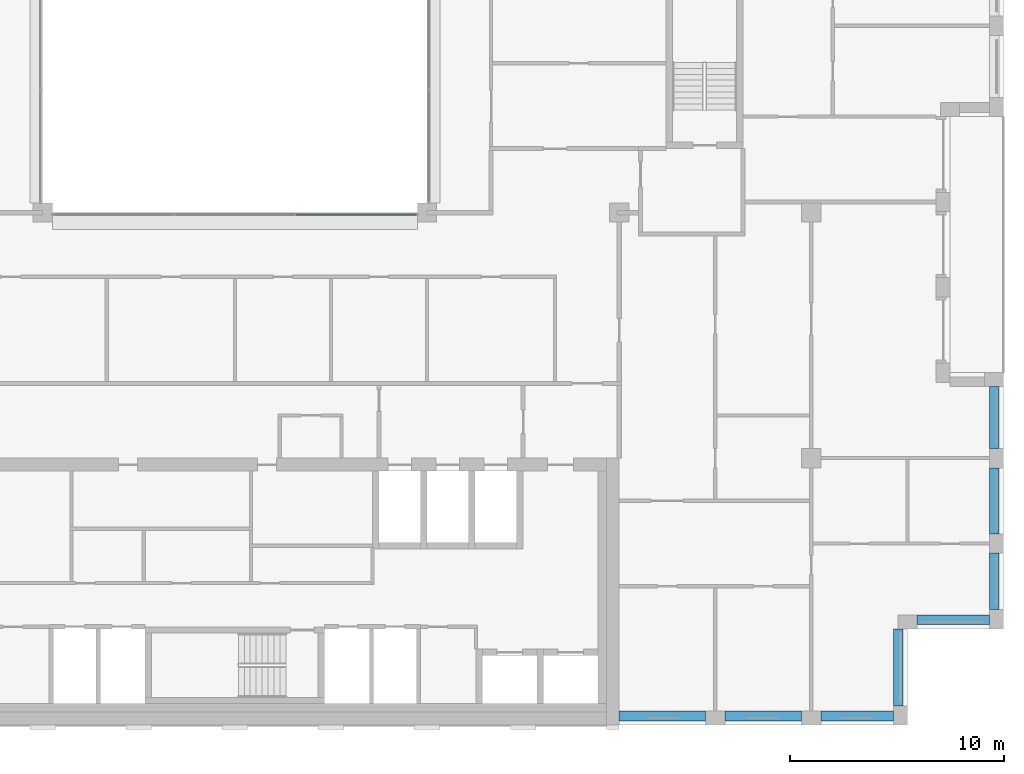
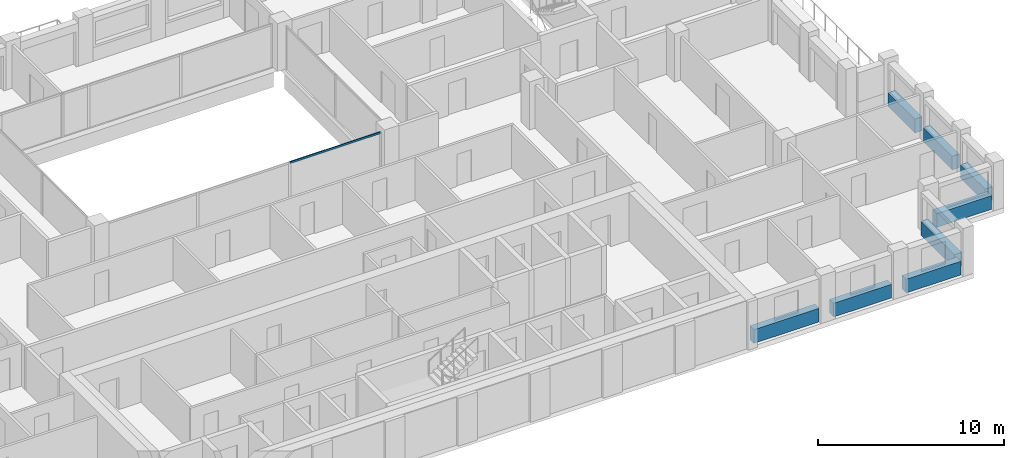
# One storey, part 3 of 15: 8 beams, 1 member, 1 element without a shape of its own.
"""IFC4 building model written with IfcOpenShell, lengths in metres."""

from ifc_helpers import new_model, si_unit, direction, frame, origin, origin_2d, place, context, subcontext, project, spatial, rectangle, extrude, material, layer, layer_set, material_profile, profile_set, type_object, element, aggregate, save


model = new_model("IFC4")

# Units and contexts
model_context = context("Model", 3, precision=1e-05, world=origin(), true_north=direction((0.0, 1.0)))
body_context = subcontext(model_context, "Body", "Model", "MODEL_VIEW")
ifc_project = project(units=[si_unit("LENGTHUNIT", "METRE"), si_unit("AREAUNIT", "SQUARE_METRE"), si_unit("VOLUMEUNIT", "CUBIC_METRE"), si_unit("PLANEANGLEUNIT", "RADIAN"), si_unit("MASSUNIT", "GRAM", prefix="KILO")], contexts=[model_context])

# Site, building, storey
site_placement = place(None, origin())
site = spatial("IfcSite", under=ifc_project, at=site_placement, CompositionType="ELEMENT")
building_placement = place(site_placement, origin())
building = spatial("IfcBuilding", under=site, at=building_placement, Name="Brigalow Station Residences", CompositionType="ELEMENT")
storey_placement = place(building_placement, frame((0.0, 0.0, 223.199951171875)))
storey = spatial("IfcBuildingStorey", under=building, at=storey_placement, Name="L64", CompositionType="ELEMENT", Elevation=223.199951171875)

# Curtain wall, member
ifc_material_1 = material(Name="Aluminium", Category="aluminium")
ifc_layer = layer(ifc_material_1, 0.14990234375)
ifc_layer_set = layer_set([ifc_layer], Name="ATRIUM FIRE-RATED GLAZING CURTAIN WALL")
curtain_wall_type = type_object("IfcCurtainWallType", Name="ATRIUM FIRE-RATED GLAZING CURTAIN WALL", PredefinedType="NOTDEFINED", material=ifc_layer_set)
curtain_wall_placement = place(storey_placement, origin())
curtain_wall = element("IfcCurtainWall", 1, at=curtain_wall_placement, inside=storey, type_object=curtain_wall_type, Name="L64/cw/atrium-S", PredefinedType="NOTDEFINED")
ifc_material_2 = material(Name="Aluminium", Category="aluminium")
ifc_material_profile_1 = material_profile(ifc_material_2, rectangle(XDim=0.06005859375, YDim=0.1201171875, at=origin_2d()), Name="ATRIUM FIRE-RATED GLAZING TRANSOM 60x120")
ifc_profile_set_1 = profile_set([ifc_material_profile_1], Name="Aluminium")
member_type = type_object("IfcMemberType", Name="ATRIUM FIRE-RATED GLAZING TRANSOM 60x120", PredefinedType="USERDEFINED", material=ifc_profile_set_1)
member_placement = place(storey_placement, frame((38.8798828125, 23.89990234375, 2.800048828125), z_axis=(1.0, 0.0, 0.0), x_axis=(0.0, 1.0, 0.0)))
member = element("IfcMember", 2, at=member_placement, type_object=member_type, Name="L64/cw/atrium-S/T02-00", ObjectType="TRANSOM", PredefinedType="USERDEFINED", context=body_context, shape_type="SweptSolid", body=[
    extrude(rectangle(XDim=0.06005859375, YDim=0.1201171875, at=origin_2d()), origin(), (0.0, 0.0, 1.0), 5.610107421875),
])
aggregate(curtain_wall, [member])

# Beams
ifc_material_3 = material(Name="Concrete C50", Category="concrete")
ifc_material_profile_2 = material_profile(ifc_material_3, rectangle(XDim=0.449951171875, YDim=0.89990234375, at=origin_2d()), Name="RC450x900")
ifc_profile_set_2 = profile_set([ifc_material_profile_2], Name="Concrete C50")
beam_type = type_object("IfcBeamType", Name="SPANDREL BEAM 450x900 C50", PredefinedType="SPANDREL", material=ifc_profile_set_2)
beam_1_placement = place(storey_placement, frame((54.0, 0.425048828125, 0.449951171875), z_axis=(1.0, 0.0, 0.0), x_axis=(0.0, 1.0, 0.0)))
element("IfcBeam", 3, at=beam_1_placement, inside=storey, type_object=beam_type, Name="L64/spandrel/W-L64-3", PredefinedType="SPANDREL", context=body_context, shape_type="SweptSolid", body=[
    extrude(rectangle(XDim=0.449951171875, YDim=0.89990234375, at=origin_2d()), origin(), (0.0, 0.0, 1.0), 4.050048828125),
])
beam_2_placement = place(storey_placement, frame((58.949951171875, 0.425048828125, 0.449951171875), z_axis=(1.0, 0.0, 0.0), x_axis=(0.0, 1.0, 0.0)))
element("IfcBeam", 4, at=beam_2_placement, inside=storey, type_object=beam_type, Name="L64/spandrel/W-L64-4", PredefinedType="SPANDREL", context=body_context, shape_type="SweptSolid", body=[
    extrude(rectangle(XDim=0.449951171875, YDim=0.89990234375, at=origin_2d()), origin(), (0.0, 0.0, 1.0), 3.60009765625),
])
beam_3_placement = place(storey_placement, frame((63.449951171875, 0.425048828125, 0.449951171875), z_axis=(1.0, 0.0, 0.0), x_axis=(0.0, 1.0, 0.0)))
element("IfcBeam", 5, at=beam_3_placement, inside=storey, type_object=beam_type, Name="L64/spandrel/W-L64-5", PredefinedType="SPANDREL", context=body_context, shape_type="SweptSolid", body=[
    extrude(rectangle(XDim=0.449951171875, YDim=0.89990234375, at=origin_2d()), origin(), (0.0, 0.0, 1.0), 3.400146484375),
])
beam_4_placement = place(storey_placement, frame((67.074951171875, 0.89990234375, 0.449951171875), z_axis=(0.0, 1.0, 0.0), x_axis=(-1.0, 0.0, 0.0)))
element("IfcBeam", 6, at=beam_4_placement, inside=storey, type_object=beam_type, Name="L64/spandrel/W-L64-6", PredefinedType="SPANDREL", context=body_context, shape_type="SweptSolid", body=[
    extrude(rectangle(XDim=0.449951171875, YDim=0.89990234375, at=origin_2d()), origin(), (0.0, 0.0, 1.0), 3.60009765625),
])
beam_5_placement = place(storey_placement, frame((67.949951171875, 4.925048828125, 0.449951171875), z_axis=(1.0, 0.0, 0.0), x_axis=(0.0, 1.0, 0.0)))
element("IfcBeam", 7, at=beam_5_placement, inside=storey, type_object=beam_type, Name="L64/spandrel/W-L64-7", PredefinedType="SPANDREL", context=body_context, shape_type="SweptSolid", body=[
    extrude(rectangle(XDim=0.449951171875, YDim=0.89990234375, at=origin_2d()), origin(), (0.0, 0.0, 1.0), 3.400146484375),
])
beam_6_placement = place(storey_placement, frame((71.574951171875, 5.39990234375, 0.449951171875), z_axis=(0.0, 1.0, 0.0), x_axis=(-1.0, 0.0, 0.0)))
element("IfcBeam", 8, at=beam_6_placement, inside=storey, type_object=beam_type, Name="L64/spandrel/W-L64-8", PredefinedType="SPANDREL", context=body_context, shape_type="SweptSolid", body=[
    extrude(rectangle(XDim=0.449951171875, YDim=0.89990234375, at=origin_2d()), origin(), (0.0, 0.0, 1.0), 2.650146484375),
])
beam_7_placement = place(storey_placement, frame((71.574951171875, 8.949951171875, 0.449951171875), z_axis=(0.0, 1.0, 0.0), x_axis=(-1.0, 0.0, 0.0)))
element("IfcBeam", 9, at=beam_7_placement, inside=storey, type_object=beam_type, Name="L64/spandrel/W-L64-9", PredefinedType="SPANDREL", context=body_context, shape_type="SweptSolid", body=[
    extrude(rectangle(XDim=0.449951171875, YDim=0.89990234375, at=origin_2d()), origin(), (0.0, 0.0, 1.0), 3.10009765625),
])
beam_8_placement = place(storey_placement, frame((71.574951171875, 12.949951171875, 0.449951171875), z_axis=(0.0, 1.0, 0.0), x_axis=(-1.0, 0.0, 0.0)))
element("IfcBeam", 10, at=beam_8_placement, inside=storey, type_object=beam_type, Name="L64/spandrel/W-L64-10", PredefinedType="SPANDREL", context=body_context, shape_type="SweptSolid", body=[
    extrude(rectangle(XDim=0.449951171875, YDim=0.89990234375, at=origin_2d()), origin(), (0.0, 0.0, 1.0), 2.900146484375),
])

save(model, "model.ifc")
